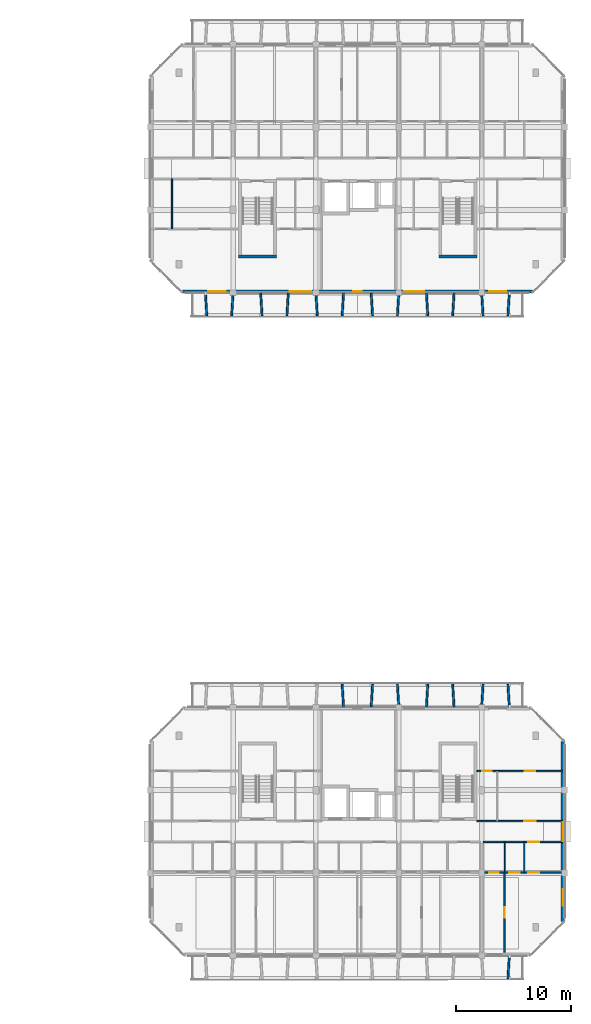
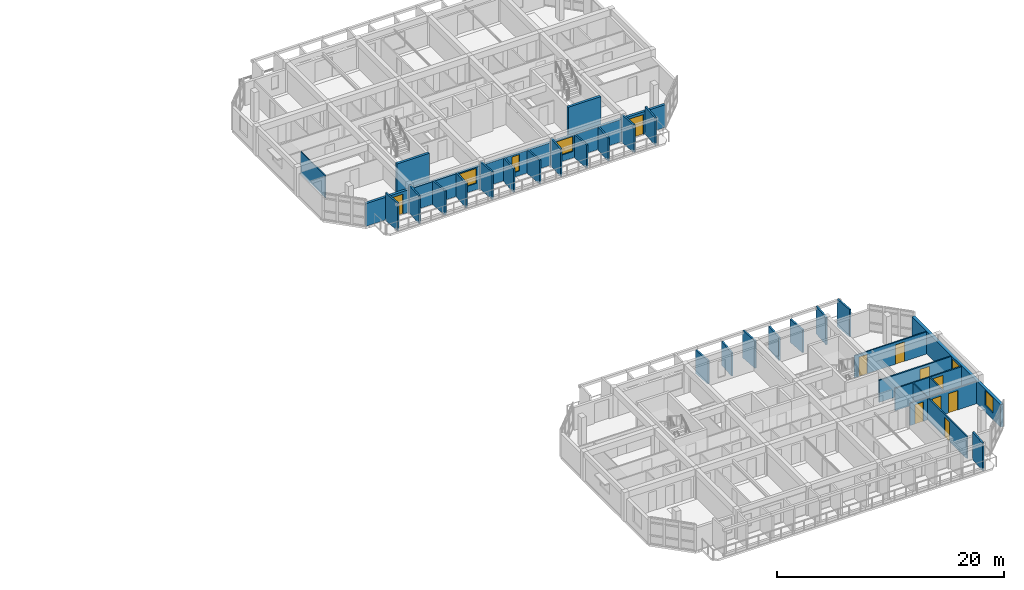
# One storey, part 25 of 44: 32 walls, 10 doors, 5 windows, 15 openings.
"""IFC4 building model written with IfcOpenShell, lengths in metres."""

import ifcopenshell
import ifcopenshell.guid

model = None  # the IFC model being written
_history = None  # IfcOwnerHistory: only IFC2X3 demands one
_inside = {}  # id of a spatial element -> (the spatial element, [elements in it])
_under = {}  # id of a project, library or spatial element -> (it, [spatial elements below it])
_declared = {}  # id of a project -> (the project, [libraries it declares])
_typed = {}  # id of a type object -> (the type object, [elements of that type])
_made_of = {}  # id of a material, layer set ... -> (it, [elements and type objects made of it])


def new_model(schema):
    """Start an empty IFC model of exactly this schema.

    Asked for "IFC4X3", IfcOpenShell would pick the latest addendum, in which some entities
    have other attributes; the version numbers below select the first issue.
    IFC2X3 requires an IfcOwnerHistory on every rooted entity: one is made here for all.
    """
    global model, _history
    if schema == "IFC4X3":
        model = ifcopenshell.file(schema_version=(4, 3, 0, 0))
    else:
        model = ifcopenshell.file(schema=schema)
    _inside.clear()
    _under.clear()
    _declared.clear()
    _typed.clear()
    _made_of.clear()
    _history = None
    if model.schema == "IFC2X3":
        org = make("IfcOrganization", Name="unknown")
        user = make(
            "IfcPersonAndOrganization",
            ThePerson=make("IfcPerson", FamilyName="unknown"),
            TheOrganization=org,
        )
        app = make(
            "IfcApplication",
            ApplicationDeveloper=org,
            Version="unknown",
            ApplicationFullName="unknown",
            ApplicationIdentifier="unknown",
        )
        _history = make(
            "IfcOwnerHistory",
            OwningUser=user,
            OwningApplication=app,
            ChangeAction="ADDED",
            CreationDate=0,
        )
    return model


def make(cls, **values):
    """One entity of the class cls with the attributes given. An attribute that is None is left unset."""
    return model.create_entity(
        cls, **{name: value for name, value in values.items() if value is not None}
    )


def rooted(cls, **values):
    """An entity with a GlobalId (a new one), such as an element, a storey or a relation."""
    return make(cls, GlobalId=ifcopenshell.guid.new(), OwnerHistory=_history, **values)


def si_unit(unit_type, name, prefix=None):
    """IfcSIUnit, for example si_unit("LENGTHUNIT", "METRE", prefix="MILLI")."""
    return make("IfcSIUnit", UnitType=unit_type, Prefix=prefix, Name=name)


def assignment(units):
    """IfcUnitAssignment: the units of a project."""
    return None if units is None else make("IfcUnitAssignment", Units=units)


def point(xyz):
    """IfcCartesianPoint."""
    return None if xyz is None else make("IfcCartesianPoint", Coordinates=xyz)


def direction(xyz):
    """IfcDirection."""
    return None if xyz is None else make("IfcDirection", DirectionRatios=xyz)


def frame(location, z_axis=None, x_axis=None):
    """IfcAxis2Placement3D, a coordinate frame: its origin and axes. An axis left out is left unset."""
    return make(
        "IfcAxis2Placement3D",
        Location=point(location),
        Axis=direction(z_axis),
        RefDirection=direction(x_axis),
    )


def frame_2d(location, x_axis=None):
    """IfcAxis2Placement2D, a coordinate frame in the plane: its origin and x axis."""
    return make(
        "IfcAxis2Placement2D", Location=point(location), RefDirection=direction(x_axis)
    )


def origin():
    """The frame at (0, 0, 0) with its axes left unset."""
    return frame((0.0, 0.0, 0.0))


def place(relative_to, where):
    """IfcLocalPlacement: puts the frame where relative to a parent placement (None: the world)."""
    return make(
        "IfcLocalPlacement", PlacementRelTo=relative_to, RelativePlacement=where
    )


def context(
    kind, dimensions, precision=None, world=None, true_north=None, identifier=None
):
    """IfcGeometricRepresentationContext, for example the 3D "Model" context."""
    return make(
        "IfcGeometricRepresentationContext",
        ContextIdentifier=identifier,
        ContextType=kind,
        CoordinateSpaceDimension=dimensions,
        Precision=precision,
        WorldCoordinateSystem=world,
        TrueNorth=true_north,
    )


def subcontext(parent, identifier, kind, view, scale=None):
    """IfcGeometricRepresentationSubContext, for example "Body" below "Model"."""
    return make(
        "IfcGeometricRepresentationSubContext",
        ContextIdentifier=identifier,
        ContextType=kind,
        ParentContext=parent,
        TargetScale=scale,
        TargetView=view,
    )


def project(units=None, contexts=None):
    """IfcProject with its units and contexts."""
    return rooted(
        "IfcProject",
        Name="project",
        RepresentationContexts=contexts,
        UnitsInContext=assignment(units),
    )


def spatial(cls, under=None, at=None, **own):
    """A site, building, storey or space (cls), placed at a placement, below another one or the project."""
    s = rooted(cls, ObjectPlacement=at, **own)
    if under is not None:
        _under.setdefault(under.id(), (under, []))[1].append(s)
    return s


def profile(cls, at=None, kind="AREA", **sizes):
    """A parametric profile (cls). Its sizes go by their IFC names, for example OverallWidth=200.0."""
    return make(cls, ProfileType=kind, Position=at, **sizes)


def rectangle(**sizes):
    """IfcRectangleProfileDef."""
    return profile("IfcRectangleProfileDef", **sizes)


def extrude(swept, where, along, depth):
    """IfcExtrudedAreaSolid: the profile swept, set in the frame where, extruded along a direction by depth."""
    return make(
        "IfcExtrudedAreaSolid",
        SweptArea=swept,
        Position=where,
        ExtrudedDirection=direction(along),
        Depth=depth,
    )


def shape(context_of_items, identifier, shape_type, items):
    """IfcShapeRepresentation: the items that make up one representation, for example the "Body"."""
    return make(
        "IfcShapeRepresentation",
        ContextOfItems=context_of_items,
        RepresentationIdentifier=identifier,
        RepresentationType=shape_type,
        Items=items,
    )


def material(Name=None, Category=None):
    """IfcMaterial."""
    return make("IfcMaterial", Name=Name, Category=Category)


def layer(
    of_material, thickness, ventilated=None, Name=None, Category=None, Priority=None
):
    """IfcMaterialLayer: one layer of a wall or slab, of a material (None: an air gap)."""
    return make(
        "IfcMaterialLayer",
        Material=of_material,
        LayerThickness=thickness,
        IsVentilated=ventilated,
        Name=Name,
        Category=Category,
        Priority=Priority,
    )


def layer_set(layers, Name=None):
    """IfcMaterialLayerSet."""
    return make("IfcMaterialLayerSet", MaterialLayers=layers, LayerSetName=Name)


def made_of(thing, what):
    """Note that an element or type object is made of a material, layer set ...; save() writes the relation."""
    if what is not None:
        _made_of.setdefault(what.id(), (what, []))[1].append(thing)
    return thing


def type_object(cls, material=None, **own):
    """A type object (cls), such as IfcWallType, which elements share."""
    return made_of(rooted(cls, **own), material)


def element(
    cls,
    number,
    at=None,
    inside=None,
    cuts=None,
    type_object=None,
    material=None,
    context=None,
    identifier="Body",
    shape_type=None,
    held_by="IfcProductDefinitionShape",
    body=None,
    shapes=None,
    **own,
):
    """One element of the class cls, such as IfcWall. Its Tag is "e" and its number.

    at: its placement. inside: the storey or other place that contains it. cuts: it is an
    opening in that element (IfcRelVoidsElement). A single representation is given by context,
    identifier, shape_type and body (its items); several are given by shapes. held_by: the class
    of the entity that holds the representations. save() writes the other relations.
    """
    e = rooted(cls, Tag="e%d" % number, ObjectPlacement=at, **own)
    if body is not None:
        shapes = [shape(context, identifier, shape_type, body)]
    if shapes is not None:
        e.Representation = make(held_by, Representations=shapes)
    if inside is not None:
        _inside.setdefault(inside.id(), (inside, []))[1].append(e)
    if cuts is not None:
        rooted(
            "IfcRelVoidsElement", RelatingBuildingElement=cuts, RelatedOpeningElement=e
        )
    if type_object is not None:
        _typed.setdefault(type_object.id(), (type_object, []))[1].append(e)
    return made_of(e, material)


def fill(opening, filler):
    """IfcRelFillsElement: the door or window that sits in an opening."""
    return rooted(
        "IfcRelFillsElement",
        RelatingOpeningElement=opening,
        RelatedBuildingElement=filler,
    )


def aggregate(whole, parts):
    """IfcRelAggregates: a whole, such as a stair, and the parts it consists of."""
    return rooted("IfcRelAggregates", RelatingObject=whole, RelatedObjects=parts)


def save(model, path):
    """Write the relations noted so far, then the file.

    IfcRelAggregates (storeys below a building ...), IfcRelContainedInSpatialStructure (elements
    in a storey), IfcRelDefinesByType, IfcRelAssociatesMaterial and IfcRelDeclares: one each for
    every whole, place, type object, material and project.
    """
    for whole, parts in _under.values():
        aggregate(whole, parts)
    for where, things in _inside.values():
        rooted(
            "IfcRelContainedInSpatialStructure",
            RelatedElements=things,
            RelatingStructure=where,
        )
    for kind, things in _typed.values():
        rooted("IfcRelDefinesByType", RelatedObjects=things, RelatingType=kind)
    for what, things in _made_of.values():
        rooted("IfcRelAssociatesMaterial", RelatedObjects=things, RelatingMaterial=what)
    for by, libraries in _declared.values():
        rooted("IfcRelDeclares", RelatingContext=by, RelatedDefinitions=libraries)
    model.write(path)


model = new_model("IFC4")

# Units and contexts
model_context = context("Model", 3, precision=1e-05, world=origin(), true_north=direction((0.0, 1.0)))
body_context = subcontext(model_context, "Body", "Model", "MODEL_VIEW")
ifc_project = project(units=[si_unit("LENGTHUNIT", "METRE"), si_unit("AREAUNIT", "SQUARE_METRE"), si_unit("VOLUMEUNIT", "CUBIC_METRE"), si_unit("PLANEANGLEUNIT", "RADIAN"), si_unit("MASSUNIT", "GRAM", prefix="KILO")], contexts=[model_context])

# Site, building, storey
site_placement = place(None, origin())
site = spatial("IfcSite", under=ifc_project, at=site_placement, CompositionType="ELEMENT")
building_placement = place(site_placement, origin())
building = spatial("IfcBuilding", under=site, at=building_placement, Name="Ochrevale Crest", CompositionType="ELEMENT")
storey_placement = place(building_placement, frame((0.0, 0.0, 21.300048828125)))
storey = spatial("IfcBuildingStorey", under=building, at=storey_placement, Name="L06", CompositionType="ELEMENT", Elevation=21.300048828125)

# Wall, opening, door
ifc_material_1 = material(Name="Gypsum plasterboard", Category="gypsum")
ifc_layer_1 = layer(ifc_material_1, 0.139892578125)
ifc_layer_set_1 = layer_set([ifc_layer_1], Name="Gypsum plasterboard")
wall_type_1 = type_object("IfcWallType", Name="WL-COR-140", PredefinedType="PARTITIONING", material=ifc_layer_set_1)
wall_1_placement = place(storey_placement, frame((158.5400390625, 24.300048828125, 0.0), z_axis=(0.0, 0.0, 1.0), x_axis=(1.0, 0.0, 0.0)))
wall_1 = element("IfcWall", 1, at=wall_1_placement, inside=storey, type_object=wall_type_1, Name="Apartment C-L06-U5 corridor wall", PredefinedType="PARTITIONING", context=body_context, shape_type="SweptSolid", body=[
    extrude(rectangle(XDim=6.919921875, YDim=0.139892578125, at=frame_2d((3.4599609375, 0.0))), origin(), (0.0, 0.0, 1.0), 2.3798828125),
])
opening_1_placement = place(wall_1_placement, frame((3.89501953125, 0.0, 0.0)))
opening_1 = element("IfcOpeningElement", 2, at=opening_1_placement, cuts=wall_1, Name="Opening FD01", PredefinedType="OPENING", context=body_context, shape_type="SweptSolid", body=[
    extrude(rectangle(XDim=0.97998046875, YDim=2.10009765625, at=frame_2d((0.489990234375, 1.050048828125))), frame((0.0, 0.080078125, 0.0), z_axis=(0.0, -1.0, 0.0), x_axis=(1.0, 0.0, 0.0)), (0.0, 0.0, 1.0), 0.159912109375),
])
ifc_material_2 = material(Name="Solid-core FSC hardwood", Category="wood")
door_type_1 = type_object("IfcDoorType", Name="DR-APT-950", OperationType="NOTDEFINED", PredefinedType="DOOR", material=ifc_material_2)
door_1_placement = place(opening_1_placement, origin())
door_1 = element("IfcDoor", 3, at=door_1_placement, inside=storey, type_object=door_type_1, Name="Apartment C-L06-U5 entrance door", OperationType="SINGLE_SWING_LEFT", OverallHeight=2.10009765625, OverallWidth=0.97998046875, PredefinedType="DOOR", context=body_context, shape_type="SweptSolid", body=[
    extrude(rectangle(XDim=0.97998046875, YDim=2.10009765625, at=frame_2d((0.489990234375, 1.050048828125))), frame((0.0, 0.02490234375, 0.0), z_axis=(0.0, -1.0, 0.0), x_axis=(1.0, 0.0, 0.0)), (0.0, 0.0, 1.0), 0.050048828125),
])
fill(opening_1, door_1)

wall_2_placement = place(storey_placement, frame((157.989990234375, 26.10009765625, 0.0), z_axis=(0.0, 0.0, 1.0), x_axis=(1.0, 0.0, 0.0)))
wall_2 = element("IfcWall", 4, at=wall_2_placement, inside=storey, type_object=wall_type_1, Name="Suite C-L06-CE corridor wall", PredefinedType="PARTITIONING", context=body_context, shape_type="SweptSolid", body=[
    extrude(rectangle(XDim=7.469970703125, YDim=0.139892578125, at=frame_2d((3.73486328125, 0.0))), origin(), (0.0, 0.0, 1.0), 2.3798828125),
])
opening_2_placement = place(wall_2_placement, frame((4.1201171875, 0.0, 0.0)))
opening_2 = element("IfcOpeningElement", 5, at=opening_2_placement, cuts=wall_2, Name="Opening FD01", PredefinedType="OPENING", context=body_context, shape_type="SweptSolid", body=[
    extrude(rectangle(XDim=0.97998046875, YDim=2.10009765625, at=frame_2d((0.489990234375, 1.050048828125))), frame((0.0, 0.080078125, 0.0), z_axis=(0.0, -1.0, 0.0), x_axis=(1.0, 0.0, 0.0)), (0.0, 0.0, 1.0), 0.159912109375),
])
door_2_placement = place(opening_2_placement, origin())
door_2 = element("IfcDoor", 6, at=door_2_placement, inside=storey, type_object=door_type_1, Name="Suite C-L06-CE entrance door", OperationType="SINGLE_SWING_LEFT", OverallHeight=2.10009765625, OverallWidth=0.97998046875, PredefinedType="DOOR", context=body_context, shape_type="SweptSolid", body=[
    extrude(rectangle(XDim=0.97998046875, YDim=2.10009765625, at=frame_2d((0.489990234375, 1.050048828125))), frame((0.0, 0.02490234375, 0.0), z_axis=(0.0, -1.0, 0.0), x_axis=(1.0, 0.0, 0.0)), (0.0, 0.0, 1.0), 0.050048828125),
])
fill(opening_2, door_2)

# Walls
ifc_material_3 = material(Name="Precast concrete C50/60", Category="concrete")
ifc_layer_2 = layer(ifc_material_3, 0.2548828125)
ifc_layer_set_2 = layer_set([ifc_layer_2], Name="Precast concrete C50/60")
wall_type_2 = type_object("IfcWallType", Name="WL-CORE-255", PredefinedType="SHEAR", material=ifc_layer_set_2)
for number, where, z_axis, x_axis, name in (
    (7, (137.2724609375, 75.14990234375, 0.0), (0.0, 0.0, 1.0), (1.0, 0.0, 0.0), "Block D L06 Stair 1 precast core shear wall S"),
    (8, (154.672607421875, 75.14990234375, 0.0), (0.0, 0.0, 1.0), (1.0, 0.0, 0.0), "Block D L06 Stair 2 precast core shear wall S"),
):
    element("IfcWall", number, at=place(storey_placement, frame(where, z_axis=z_axis, x_axis=x_axis)), inside=storey, type_object=wall_type_2, Name=name, PredefinedType="SHEAR", context=body_context, shape_type="SweptSolid", body=[
        extrude(rectangle(XDim=3.304931640625, YDim=0.2548828125, at=frame_2d((1.65234375, 0.0))), origin(), (0.0, 0.0, 1.0), 3.14990234375),
    ])

# Wall, openings, windows
ifc_material_4 = material(Name="Clay face brickwork", Category="masonry")
ifc_layer_3 = layer(ifc_material_4, 0.2900390625)
ifc_layer_set_3 = layer_set([ifc_layer_3], Name="Clay face brickwork")
wall_type_3 = type_object("IfcWallType", Name="WL-EXT-BRICK-290", PredefinedType="SOLIDWALL", material=ifc_layer_set_3)
wall_3_placement = place(storey_placement, frame((165.455078125, 17.39990234375, 0.0), z_axis=(0.0, 0.0, 1.0), x_axis=(0.0, 1.0, 0.0)))
wall_3 = element("IfcWall", 9, at=wall_3_placement, inside=storey, type_object=wall_type_3, Name="Block C L06 external facade wall E3", PredefinedType="SOLIDWALL", context=body_context, shape_type="SweptSolid", body=[
    extrude(rectangle(XDim=15.60009765625, YDim=0.2900390625, at=frame_2d((7.800048828125, 0.0))), origin(), (0.0, 0.0, 1.0), 2.429931640625),
])
opening_3_placement = place(wall_3_placement, frame((6.97509765625, 0.0, 1.050048828125)))
opening_3 = element("IfcOpeningElement", 10, at=opening_3_placement, cuts=wall_3, Name="Opening W19", PredefinedType="OPENING", context=body_context, shape_type="SweptSolid", body=[
    extrude(rectangle(XDim=1.64990234375, YDim=1.14990234375, at=frame_2d((0.824951171875, 0.574951171875))), frame((0.0, 0.155029296875, 0.0), z_axis=(0.0, -1.0, 0.0), x_axis=(1.0, 0.0, 0.0)), (0.0, 0.0, 1.0), 0.31005859375),
])
opening_4_placement = place(wall_3_placement, frame((1.35009765625, 0.0, 0.719970703125)))
opening_4 = element("IfcOpeningElement", 11, at=opening_4_placement, cuts=wall_3, Name="Opening W31", PredefinedType="OPENING", context=body_context, shape_type="SweptSolid", body=[
    extrude(rectangle(XDim=1.419921875, YDim=1.60009765625, at=frame_2d((0.7099609375, 0.800048828125))), frame((0.0, 0.155029296875, 0.0), z_axis=(0.0, -1.0, 0.0), x_axis=(1.0, 0.0, 0.0)), (0.0, 0.0, 1.0), 0.31005859375),
])
ifc_material_5 = material(Name="Anodised aluminium 6063-T5 and low-E double glazing", Category="aluminium")
window_type_1 = type_object("IfcWindowType", Name="WIN-W19", PartitioningType="SINGLE_PANEL", PredefinedType="WINDOW", material=ifc_material_5)
window_1_placement = place(opening_3_placement, origin())
window_1 = element("IfcWindow", 12, at=window_1_placement, inside=storey, type_object=window_type_1, Name="Block C L06 corridor end daylight window E", OverallHeight=1.14990234375, OverallWidth=1.64990234375, PartitioningType="SINGLE_PANEL", PredefinedType="WINDOW", context=body_context, shape_type="SweptSolid", body=[
    extrude(rectangle(XDim=1.64990234375, YDim=1.14990234375, at=frame_2d((0.824951171875, 0.574951171875))), frame((0.0, 0.030029296875, 0.0), z_axis=(0.0, -1.0, 0.0), x_axis=(1.0, 0.0, 0.0)), (0.0, 0.0, 1.0), 0.06005859375),
])
fill(opening_3, window_1)
window_type_2 = type_object("IfcWindowType", Name="WIN-W31", PartitioningType="SINGLE_PANEL", PredefinedType="WINDOW", material=ifc_material_5)
window_2_placement = place(opening_4_placement, origin())
window_2 = element("IfcWindow", 13, at=window_2_placement, inside=storey, type_object=window_type_2, Name="Block C L06 side suite window E", OverallHeight=1.60009765625, OverallWidth=1.419921875, PartitioningType="SINGLE_PANEL", PredefinedType="WINDOW", context=body_context, shape_type="SweptSolid", body=[
    extrude(rectangle(XDim=1.419921875, YDim=1.60009765625, at=frame_2d((0.7099609375, 0.800048828125))), frame((0.0, 0.030029296875, 0.0), z_axis=(0.0, -1.0, 0.0), x_axis=(1.0, 0.0, 0.0)), (0.0, 0.0, 1.0), 0.06005859375),
])
fill(opening_4, window_2)

# Wall, openings, doors, windows
ifc_material_6 = material(Name="Precast concrete C40/50", Category="concrete")
ifc_layer_4 = layer(ifc_material_6, 0.25)
ifc_layer_set_4 = layer_set([ifc_layer_4], Name="Precast concrete C40/50")
wall_type_4 = type_object("IfcWallType", Name="WL-EXT-GOLD-250", PredefinedType="SOLIDWALL", material=ifc_layer_set_4)
wall_4_placement = place(storey_placement, frame((132.39990234375, 72.125, 0.0), z_axis=(0.0, 0.0, 1.0), x_axis=(1.0, 0.0, 0.0)))
wall_4 = element("IfcWall", 14, at=wall_4_placement, inside=storey, type_object=wall_type_4, Name="Block D L06 external facade wall E1", PredefinedType="SOLIDWALL", context=body_context, shape_type="SweptSolid", body=[
    extrude(rectangle(XDim=30.400146484375, YDim=0.25, at=frame_2d((15.2001953125, 0.0))), origin(), (0.0, 0.0, 1.0), 2.429931640625),
])
opening_5_placement = place(wall_4_placement, frame((3.75, 0.0, 0.0), z_axis=(0.0, 0.0, 1.0), x_axis=(-1.0, 0.0, 0.0)))
opening_5 = element("IfcOpeningElement", 15, at=opening_5_placement, cuts=wall_4, Name="Opening BD01", PredefinedType="OPENING", context=body_context, shape_type="SweptSolid", body=[
    extrude(rectangle(XDim=1.5, YDim=2.14990234375, at=frame_2d((0.75, 1.074951171875))), frame((0.0, 0.135009765625, 0.0), z_axis=(0.0, -1.0, 0.0), x_axis=(1.0, 0.0, 0.0)), (0.0, 0.0, 1.0), 0.27001953125),
])
opening_6_placement = place(wall_4_placement, frame((28.14990234375, 0.0, 0.0), z_axis=(0.0, 0.0, 1.0), x_axis=(-1.0, 0.0, 0.0)))
opening_6 = element("IfcOpeningElement", 16, at=opening_6_placement, cuts=wall_4, Name="Opening BD01", PredefinedType="OPENING", context=body_context, shape_type="SweptSolid", body=[
    extrude(rectangle(XDim=1.5, YDim=2.14990234375, at=frame_2d((0.75, 1.074951171875))), frame((0.0, 0.135009765625, 0.0), z_axis=(0.0, -1.0, 0.0), x_axis=(1.0, 0.0, 0.0)), (0.0, 0.0, 1.0), 0.27001953125),
])
opening_7_placement = place(wall_4_placement, frame((14.824951171875, 0.0, 0.5)))
opening_7 = element("IfcOpeningElement", 17, at=opening_7_placement, cuts=wall_4, Name="Opening W16", PredefinedType="OPENING", context=body_context, shape_type="SweptSolid", body=[
    extrude(rectangle(XDim=0.75, YDim=1.75, at=frame_2d((0.375, 0.875))), frame((0.0, 0.135009765625, 0.0), z_axis=(0.0, -1.0, 0.0), x_axis=(1.0, 0.0, 0.0)), (0.0, 0.0, 1.0), 0.27001953125),
])
opening_8_placement = place(wall_4_placement, frame((19.284912109375, 0.0, 0.699951171875)))
opening_8 = element("IfcOpeningElement", 18, at=opening_8_placement, cuts=wall_4, Name="Opening W10", PredefinedType="OPENING", context=body_context, shape_type="SweptSolid", body=[
    extrude(rectangle(XDim=1.719970703125, YDim=1.60009765625, at=frame_2d((0.85986328125, 0.800048828125))), frame((0.0, 0.135009765625, 0.0), z_axis=(0.0, -1.0, 0.0), x_axis=(1.0, 0.0, 0.0)), (0.0, 0.0, 1.0), 0.27001953125),
])
opening_9_placement = place(wall_4_placement, frame((9.324951171875, 0.0, 0.699951171875)))
opening_9 = element("IfcOpeningElement", 19, at=opening_9_placement, cuts=wall_4, Name="Opening W11", PredefinedType="OPENING", context=body_context, shape_type="SweptSolid", body=[
    extrude(rectangle(XDim=1.860107421875, YDim=1.60009765625, at=frame_2d((0.93017578125, 0.800048828125))), frame((0.0, 0.135009765625, 0.0), z_axis=(0.0, -1.0, 0.0), x_axis=(1.0, 0.0, 0.0)), (0.0, 0.0, 1.0), 0.27001953125),
])
ifc_material_7 = material(Name="Anodised aluminium 6063-T5 and toughened glass", Category="aluminium")
door_type_2 = type_object("IfcDoorType", Name="DR-BAL-1500", OperationType="NOTDEFINED", PredefinedType="DOOR", material=ifc_material_7)
door_3_placement = place(opening_5_placement, origin())
door_3 = element("IfcDoor", 20, at=door_3_placement, inside=storey, type_object=door_type_2, Name="Block D L06 balcony door S1", OperationType="SINGLE_SWING_LEFT", OverallHeight=2.14990234375, OverallWidth=1.5, PredefinedType="DOOR", context=body_context, shape_type="SweptSolid", body=[
    extrude(rectangle(XDim=1.5, YDim=2.14990234375, at=frame_2d((0.75, 1.074951171875))), frame((0.0, 0.02490234375, 0.0), z_axis=(0.0, -1.0, 0.0), x_axis=(1.0, 0.0, 0.0)), (0.0, 0.0, 1.0), 0.050048828125),
])
fill(opening_5, door_3)
door_4_placement = place(opening_6_placement, origin())
door_4 = element("IfcDoor", 21, at=door_4_placement, inside=storey, type_object=door_type_2, Name="Block D L06 balcony door S5", OperationType="SINGLE_SWING_RIGHT", OverallHeight=2.14990234375, OverallWidth=1.5, PredefinedType="DOOR", context=body_context, shape_type="SweptSolid", body=[
    extrude(rectangle(XDim=1.5, YDim=2.14990234375, at=frame_2d((0.75, 1.074951171875))), frame((0.0, 0.02490234375, 0.0), z_axis=(0.0, -1.0, 0.0), x_axis=(1.0, 0.0, 0.0)), (0.0, 0.0, 1.0), 0.050048828125),
])
fill(opening_6, door_4)
window_type_3 = type_object("IfcWindowType", Name="WIN-W10", PartitioningType="SINGLE_PANEL", PredefinedType="WINDOW", material=ifc_material_5)
window_3_placement = place(opening_8_placement, origin())
window_3 = element("IfcWindow", 22, at=window_3_placement, inside=storey, type_object=window_type_3, Name="Block D L06 Suite D-L06-ME Garden Alcove Studio window", OverallHeight=1.60009765625, OverallWidth=1.719970703125, PartitioningType="SINGLE_PANEL", PredefinedType="WINDOW", context=body_context, shape_type="SweptSolid", body=[
    extrude(rectangle(XDim=1.719970703125, YDim=1.60009765625, at=frame_2d((0.85986328125, 0.800048828125))), frame((0.0, 0.030029296875, 0.0), z_axis=(0.0, -1.0, 0.0), x_axis=(1.0, 0.0, 0.0)), (0.0, 0.0, 1.0), 0.06005859375),
])
fill(opening_8, window_3)
window_type_4 = type_object("IfcWindowType", Name="WIN-W11", PartitioningType="SINGLE_PANEL", PredefinedType="WINDOW", material=ifc_material_5)
window_4_placement = place(opening_9_placement, origin())
window_4 = element("IfcWindow", 23, at=window_4_placement, inside=storey, type_object=window_type_4, Name="Block D L06 Suite D-L06-MW Courtyard Studio Living window", OverallHeight=1.60009765625, OverallWidth=1.860107421875, PartitioningType="SINGLE_PANEL", PredefinedType="WINDOW", context=body_context, shape_type="SweptSolid", body=[
    extrude(rectangle(XDim=1.860107421875, YDim=1.60009765625, at=frame_2d((0.93017578125, 0.800048828125))), frame((0.0, 0.030029296875, 0.0), z_axis=(0.0, -1.0, 0.0), x_axis=(1.0, 0.0, 0.0)), (0.0, 0.0, 1.0), 0.06005859375),
])
fill(opening_9, window_4)
window_type_5 = type_object("IfcWindowType", Name="WIN-W16", PartitioningType="SINGLE_PANEL", PredefinedType="WINDOW", material=ifc_material_5)
window_5_placement = place(opening_7_placement, origin())
window_5 = element("IfcWindow", 24, at=window_5_placement, inside=storey, type_object=window_type_5, Name="Block D L06 core lancet window", OverallHeight=1.75, OverallWidth=0.75, PartitioningType="SINGLE_PANEL", PredefinedType="WINDOW", context=body_context, shape_type="SweptSolid", body=[
    extrude(rectangle(XDim=0.75, YDim=1.75, at=frame_2d((0.375, 0.875))), frame((0.0, 0.030029296875, 0.0), z_axis=(0.0, -1.0, 0.0), x_axis=(1.0, 0.0, 0.0)), (0.0, 0.0, 1.0), 0.06005859375),
])
fill(opening_7, window_5)

# Walls
ifc_layer_5 = layer(ifc_material_6, 0.1650390625)
ifc_layer_set_5 = layer_set([ifc_layer_5], Name="Precast concrete C40/50")
wall_type_5 = type_object("IfcWallType", Name="WL-HC-CHEEK-165", PredefinedType="ELEMENTEDWALL", material=ifc_layer_set_5)
wall_5_placement = place(storey_placement, frame((160.800048828125, 14.3798828125, 0.0), z_axis=(0.0, 0.0, 1.0), x_axis=(-0.061170732449, -0.998127317276, 0.0)))
element("IfcWall", 25, at=wall_5_placement, inside=storey, type_object=wall_type_5, Name="Block C L06 S precast honeycomb cheek 12", PredefinedType="ELEMENTEDWALL", context=body_context, shape_type="SweptSolid", body=[
    extrude(rectangle(XDim=1.963623046875, YDim=0.1650390625, at=frame_2d((0.98193359375, 0.0))), origin(), (0.0, 0.0, 1.0), 2.949951171875),
])
for number, where, z_axis, x_axis, name in (
    (26, (146.39990234375, 36.02001953125, 0.0), (0.0, 0.0, 1.0), (-0.061046865508, 0.998134900808, 0.0), "Block C L06 N precast honeycomb cheek 6"),
    (27, (148.800048828125, 36.02001953125, 0.0), (0.0, 0.0, 1.0), (0.061046865508, 0.998134900808, 0.0), "Block C L06 N precast honeycomb cheek 7"),
):
    element("IfcWall", number, at=place(storey_placement, frame(where, z_axis=z_axis, x_axis=x_axis)), inside=storey, type_object=wall_type_5, Name=name, PredefinedType="ELEMENTEDWALL", context=body_context, shape_type="SweptSolid", body=[
        extrude(rectangle(XDim=1.963623046875, YDim=0.1650390625, at=frame_2d((0.98193359375, 0.0))), origin(), (0.0, 0.0, 1.0), 2.530029296875),
    ])
wall_6_placement = place(storey_placement, frame((151.199951171875, 36.02001953125, 0.0), z_axis=(0.0, 0.0, 1.0), x_axis=(-0.061046865508, 0.998134900808, 0.0)))
element("IfcWall", 28, at=wall_6_placement, inside=storey, type_object=wall_type_5, Name="Block C L06 N precast honeycomb cheek 8", PredefinedType="ELEMENTEDWALL", context=body_context, shape_type="SweptSolid", body=[
    extrude(rectangle(XDim=1.963623046875, YDim=0.1650390625, at=frame_2d((0.98193359375, 0.0))), origin(), (0.0, 0.0, 1.0), 2.949951171875),
])
for number, where, z_axis, x_axis, name in (
    (29, (153.60009765625, 36.02001953125, 0.0), (0.0, 0.0, 1.0), (0.061046865508, 0.998134900808, 0.0), "Block C L06 N precast honeycomb cheek 9"),
    (30, (156.0, 36.02001953125, 0.0), (0.0, 0.0, 1.0), (-0.061170732449, 0.998127317276, 0.0), "Block C L06 N precast honeycomb cheek 10"),
):
    element("IfcWall", number, at=place(storey_placement, frame(where, z_axis=z_axis, x_axis=x_axis)), inside=storey, type_object=wall_type_5, Name=name, PredefinedType="ELEMENTEDWALL", context=body_context, shape_type="SweptSolid", body=[
        extrude(rectangle(XDim=1.963623046875, YDim=0.1650390625, at=frame_2d((0.98193359375, 0.0))), origin(), (0.0, 0.0, 1.0), 2.47998046875),
    ])
for number, where, z_axis, x_axis, name in (
    (31, (158.39990234375, 36.02001953125, 0.0), (0.0, 0.0, 1.0), (0.061170732449, 0.998127317276, 0.0), "Block C L06 N precast honeycomb cheek 11"),
    (32, (160.800048828125, 36.02001953125, 0.0), (0.0, 0.0, 1.0), (-0.061170732449, 0.998127317276, 0.0), "Block C L06 N precast honeycomb cheek 12"),
    (33, (134.39990234375, 71.97998046875, 0.0), (0.0, 0.0, 1.0), (0.061170732449, -0.998127317276, 0.0), "Block D L06 S precast honeycomb cheek 1"),
    (34, (136.800048828125, 71.97998046875, 0.0), (0.0, 0.0, 1.0), (-0.061170732449, -0.998127317276, 0.0), "Block D L06 S precast honeycomb cheek 2"),
):
    element("IfcWall", number, at=place(storey_placement, frame(where, z_axis=z_axis, x_axis=x_axis)), inside=storey, type_object=wall_type_5, Name=name, PredefinedType="ELEMENTEDWALL", context=body_context, shape_type="SweptSolid", body=[
        extrude(rectangle(XDim=1.963623046875, YDim=0.1650390625, at=frame_2d((0.98193359375, 0.0))), origin(), (0.0, 0.0, 1.0), 2.949951171875),
    ])
for number, where, z_axis, x_axis, name in (
    (35, (139.199951171875, 71.97998046875, 0.0), (0.0, 0.0, 1.0), (0.061170732449, -0.998127317276, 0.0), "Block D L06 S precast honeycomb cheek 3"),
    (36, (141.60009765625, 71.97998046875, 0.0), (0.0, 0.0, 1.0), (-0.061170732449, -0.998127317276, 0.0), "Block D L06 S precast honeycomb cheek 4"),
):
    element("IfcWall", number, at=place(storey_placement, frame(where, z_axis=z_axis, x_axis=x_axis)), inside=storey, type_object=wall_type_5, Name=name, PredefinedType="ELEMENTEDWALL", context=body_context, shape_type="SweptSolid", body=[
        extrude(rectangle(XDim=1.963623046875, YDim=0.1650390625, at=frame_2d((0.98193359375, 0.0))), origin(), (0.0, 0.0, 1.0), 2.579833984375),
    ])
wall_7_placement = place(storey_placement, frame((144.0, 71.97998046875, 0.0), z_axis=(0.0, 0.0, 1.0), x_axis=(0.061170732449, -0.998127317276, 0.0)))
element("IfcWall", 37, at=wall_7_placement, inside=storey, type_object=wall_type_5, Name="Block D L06 S precast honeycomb cheek 5", PredefinedType="ELEMENTEDWALL", context=body_context, shape_type="SweptSolid", body=[
    extrude(rectangle(XDim=1.963623046875, YDim=0.1650390625, at=frame_2d((0.98193359375, 0.0))), origin(), (0.0, 0.0, 1.0), 2.949951171875),
])
for number, where, z_axis, x_axis, name in (
    (38, (146.39990234375, 71.97998046875, 0.0), (0.0, 0.0, 1.0), (-0.061046865508, -0.998134900808, 0.0), "Block D L06 S precast honeycomb cheek 6"),
    (39, (148.800048828125, 71.97998046875, 0.0), (0.0, 0.0, 1.0), (0.061046865508, -0.998134900808, 0.0), "Block D L06 S precast honeycomb cheek 7"),
):
    element("IfcWall", number, at=place(storey_placement, frame(where, z_axis=z_axis, x_axis=x_axis)), inside=storey, type_object=wall_type_5, Name=name, PredefinedType="ELEMENTEDWALL", context=body_context, shape_type="SweptSolid", body=[
        extrude(rectangle(XDim=1.963623046875, YDim=0.1650390625, at=frame_2d((0.98193359375, 0.0))), origin(), (0.0, 0.0, 1.0), 2.530029296875),
    ])
wall_8_placement = place(storey_placement, frame((151.199951171875, 71.97998046875, 0.0), z_axis=(0.0, 0.0, 1.0), x_axis=(-0.061046865508, -0.998134900808, 0.0)))
element("IfcWall", 40, at=wall_8_placement, inside=storey, type_object=wall_type_5, Name="Block D L06 S precast honeycomb cheek 8", PredefinedType="ELEMENTEDWALL", context=body_context, shape_type="SweptSolid", body=[
    extrude(rectangle(XDim=1.963623046875, YDim=0.1650390625, at=frame_2d((0.98193359375, 0.0))), origin(), (0.0, 0.0, 1.0), 2.949951171875),
])
for number, where, z_axis, x_axis, name in (
    (41, (153.60009765625, 71.97998046875, 0.0), (0.0, 0.0, 1.0), (0.061046865508, -0.998134900808, 0.0), "Block D L06 S precast honeycomb cheek 9"),
    (42, (156.0, 71.97998046875, 0.0), (0.0, 0.0, 1.0), (-0.061170732449, -0.998127317276, 0.0), "Block D L06 S precast honeycomb cheek 10"),
):
    element("IfcWall", number, at=place(storey_placement, frame(where, z_axis=z_axis, x_axis=x_axis)), inside=storey, type_object=wall_type_5, Name=name, PredefinedType="ELEMENTEDWALL", context=body_context, shape_type="SweptSolid", body=[
        extrude(rectangle(XDim=1.963623046875, YDim=0.1650390625, at=frame_2d((0.98193359375, 0.0))), origin(), (0.0, 0.0, 1.0), 2.47998046875),
    ])
for number, where, z_axis, x_axis, name in (
    (43, (158.39990234375, 71.97998046875, 0.0), (0.0, 0.0, 1.0), (0.061170732449, -0.998127317276, 0.0), "Block D L06 S precast honeycomb cheek 11"),
    (44, (160.800048828125, 71.97998046875, 0.0), (0.0, 0.0, 1.0), (-0.061170732449, -0.998127317276, 0.0), "Block D L06 S precast honeycomb cheek 12"),
):
    element("IfcWall", number, at=place(storey_placement, frame(where, z_axis=z_axis, x_axis=x_axis)), inside=storey, type_object=wall_type_5, Name=name, PredefinedType="ELEMENTEDWALL", context=body_context, shape_type="SweptSolid", body=[
        extrude(rectangle(XDim=1.963623046875, YDim=0.1650390625, at=frame_2d((0.98193359375, 0.0))), origin(), (0.0, 0.0, 1.0), 2.949951171875),
    ])
ifc_layer_6 = layer(ifc_material_1, 0.1201171875)
ifc_layer_set_6 = layer_set([ifc_layer_6], Name="Gypsum plasterboard")
wall_type_6 = type_object("IfcWallType", Name="WL-PART-120", PredefinedType="PARTITIONING", material=ifc_layer_set_6)
wall_9_placement = place(storey_placement, frame((162.10009765625, 21.64990234375, 0.0), z_axis=(0.0, 0.0, 1.0), x_axis=(0.0, 1.0, 0.0)))
element("IfcWall", 45, at=wall_9_placement, inside=storey, type_object=wall_type_6, Name="Apartment C-L06-U5 kitchen-foyer wall", PredefinedType="PARTITIONING", context=body_context, shape_type="SweptSolid", body=[
    extrude(rectangle(XDim=2.650146484375, YDim=0.1201171875, at=frame_2d((1.3251953125, 0.0))), origin(), (0.0, 0.0, 1.0), 2.3798828125),
])

# Wall, openings, doors
wall_10_placement = place(storey_placement, frame((158.5400390625, 21.64990234375, 0.0), z_axis=(0.0, 0.0, 1.0), x_axis=(1.0, 0.0, 0.0)))
wall_10 = element("IfcWall", 46, at=wall_10_placement, inside=storey, type_object=wall_type_6, Name="Apartment C-L06-U5 central partition", PredefinedType="PARTITIONING", context=body_context, shape_type="SweptSolid", body=[
    extrude(rectangle(XDim=6.919921875, YDim=0.1201171875, at=frame_2d((3.4599609375, 0.0))), origin(), (0.0, 0.0, 1.0), 2.3798828125),
])
opening_10_placement = place(wall_10_placement, frame((1.35009765625, 0.0, 0.0), z_axis=(0.0, 0.0, 1.0), x_axis=(-1.0, 0.0, 0.0)))
opening_10 = element("IfcOpeningElement", 47, at=opening_10_placement, cuts=wall_10, Name="Opening ID01", PredefinedType="OPENING", context=body_context, shape_type="SweptSolid", body=[
    extrude(rectangle(XDim=0.85009765625, YDim=2.080078125, at=frame_2d((0.425048828125, 1.0400390625))), frame((0.0, 0.070068359375, 0.0), z_axis=(0.0, -1.0, 0.0), x_axis=(1.0, 0.0, 0.0)), (0.0, 0.0, 1.0), 0.14013671875),
])
opening_11_placement = place(wall_10_placement, frame((2.2548828125, 0.0, 0.0)))
opening_11 = element("IfcOpeningElement", 48, at=opening_11_placement, cuts=wall_10, Name="Opening ID02", PredefinedType="OPENING", context=body_context, shape_type="SweptSolid", body=[
    extrude(rectangle(XDim=0.89990234375, YDim=2.080078125, at=frame_2d((0.449951171875, 1.0400390625))), frame((0.0, 0.070068359375, 0.0), z_axis=(0.0, -1.0, 0.0), x_axis=(1.0, 0.0, 0.0)), (0.0, 0.0, 1.0), 0.14013671875),
])
opening_12_placement = place(wall_10_placement, frame((4.85986328125, 0.0, 0.0), z_axis=(0.0, 0.0, 1.0), x_axis=(-1.0, 0.0, 0.0)))
opening_12 = element("IfcOpeningElement", 49, at=opening_12_placement, cuts=wall_10, Name="Opening ID06", PredefinedType="OPENING", context=body_context, shape_type="SweptSolid", body=[
    extrude(rectangle(XDim=0.949951171875, YDim=2.080078125, at=frame_2d((0.47509765625, 1.0400390625))), frame((0.0, 0.070068359375, 0.0), z_axis=(0.0, -1.0, 0.0), x_axis=(1.0, 0.0, 0.0)), (0.0, 0.0, 1.0), 0.14013671875),
])
door_type_3 = type_object("IfcDoorType", Name="DR-INT-900", OperationType="NOTDEFINED", PredefinedType="DOOR", material=ifc_material_2)
door_5_placement = place(opening_11_placement, origin())
door_5 = element("IfcDoor", 50, at=door_5_placement, inside=storey, type_object=door_type_3, Name="Apartment C-L06-U5 Kitchen door", OperationType="SINGLE_SWING_LEFT", OverallHeight=2.080078125, OverallWidth=0.89990234375, PredefinedType="DOOR", context=body_context, shape_type="SweptSolid", body=[
    extrude(rectangle(XDim=0.89990234375, YDim=2.080078125, at=frame_2d((0.449951171875, 1.0400390625))), frame((0.0, 0.02490234375, 0.0), z_axis=(0.0, -1.0, 0.0), x_axis=(1.0, 0.0, 0.0)), (0.0, 0.0, 1.0), 0.050048828125),
])
fill(opening_11, door_5)
door_type_4 = type_object("IfcDoorType", Name="DR-INT-950", OperationType="NOTDEFINED", PredefinedType="DOOR", material=ifc_material_2)
door_6_placement = place(opening_12_placement, origin())
door_6 = element("IfcDoor", 51, at=door_6_placement, inside=storey, type_object=door_type_4, Name="Apartment C-L06-U5 Living Foyer door", OperationType="SINGLE_SWING_RIGHT", OverallHeight=2.080078125, OverallWidth=0.949951171875, PredefinedType="DOOR", context=body_context, shape_type="SweptSolid", body=[
    extrude(rectangle(XDim=0.949951171875, YDim=2.080078125, at=frame_2d((0.47509765625, 1.0400390625))), frame((0.0, 0.02490234375, 0.0), z_axis=(0.0, -1.0, 0.0), x_axis=(1.0, 0.0, 0.0)), (0.0, 0.0, 1.0), 0.050048828125),
])
fill(opening_12, door_6)
door_type_5 = type_object("IfcDoorType", Name="DR-WC-850", OperationType="NOTDEFINED", PredefinedType="DOOR", material=ifc_material_2)
door_7_placement = place(opening_10_placement, origin())
door_7 = element("IfcDoor", 52, at=door_7_placement, inside=storey, type_object=door_type_5, Name="Apartment C-L06-U5 Bathroom door", OperationType="SINGLE_SWING_RIGHT", OverallHeight=2.080078125, OverallWidth=0.85009765625, PredefinedType="DOOR", context=body_context, shape_type="SweptSolid", body=[
    extrude(rectangle(XDim=0.85009765625, YDim=2.080078125, at=frame_2d((0.425048828125, 1.0400390625))), frame((0.0, 0.02490234375, 0.0), z_axis=(0.0, -1.0, 0.0), x_axis=(1.0, 0.0, 0.0)), (0.0, 0.0, 1.0), 0.050048828125),
])
fill(opening_10, door_7)

# Wall, opening, door
wall_11_placement = place(storey_placement, frame((160.389892578125, 14.699951171875, 0.0), z_axis=(0.0, 0.0, 1.0), x_axis=(0.0, 1.0, 0.0)))
wall_11 = element("IfcWall", 53, at=wall_11_placement, inside=storey, type_object=wall_type_6, Name="Apartment C-L06-U5 bedroom partition", PredefinedType="PARTITIONING", context=body_context, shape_type="SweptSolid", body=[
    extrude(rectangle(XDim=6.949951171875, YDim=0.1201171875, at=frame_2d((3.47509765625, 0.0))), origin(), (0.0, 0.0, 1.0), 2.3798828125),
])
opening_13_placement = place(wall_11_placement, frame((3.02490234375, 0.0, 0.0)))
opening_13 = element("IfcOpeningElement", 54, at=opening_13_placement, cuts=wall_11, Name="Opening ID02", PredefinedType="OPENING", context=body_context, shape_type="SweptSolid", body=[
    extrude(rectangle(XDim=0.89990234375, YDim=2.080078125, at=frame_2d((0.449951171875, 1.0400390625))), frame((0.0, 0.070068359375, 0.0), z_axis=(0.0, -1.0, 0.0), x_axis=(1.0, 0.0, 0.0)), (0.0, 0.0, 1.0), 0.14013671875),
])
door_8_placement = place(opening_13_placement, origin())
door_8 = element("IfcDoor", 55, at=door_8_placement, inside=storey, type_object=door_type_3, Name="Apartment C-L06-U5 Double Bedroom door", OperationType="SINGLE_SWING_LEFT", OverallHeight=2.080078125, OverallWidth=0.89990234375, PredefinedType="DOOR", context=body_context, shape_type="SweptSolid", body=[
    extrude(rectangle(XDim=0.89990234375, YDim=2.080078125, at=frame_2d((0.449951171875, 1.0400390625))), frame((0.0, 0.02490234375, 0.0), z_axis=(0.0, -1.0, 0.0), x_axis=(1.0, 0.0, 0.0)), (0.0, 0.0, 1.0), 0.050048828125),
])
fill(opening_13, door_8)

# Wall, openings, doors
wall_12_placement = place(storey_placement, frame((157.989990234375, 30.449951171875, 0.0), z_axis=(0.0, 0.0, 1.0), x_axis=(1.0, 0.0, 0.0)))
wall_12 = element("IfcWall", 56, at=wall_12_placement, inside=storey, type_object=wall_type_6, Name="Suite C-L06-CE internal wall", PredefinedType="PARTITIONING", context=body_context, shape_type="SweptSolid", body=[
    extrude(rectangle(XDim=7.469970703125, YDim=0.1201171875, at=frame_2d((3.73486328125, 0.0))), origin(), (0.0, 0.0, 1.0), 2.3798828125),
])
opening_14_placement = place(wall_12_placement, frame((1.300048828125, 0.0, 0.0), z_axis=(0.0, 0.0, 1.0), x_axis=(-1.0, 0.0, 0.0)))
opening_14 = element("IfcOpeningElement", 57, at=opening_14_placement, cuts=wall_12, Name="Opening ID01", PredefinedType="OPENING", context=body_context, shape_type="SweptSolid", body=[
    extrude(rectangle(XDim=0.85009765625, YDim=2.080078125, at=frame_2d((0.425048828125, 1.0400390625))), frame((0.0, 0.070068359375, 0.0), z_axis=(0.0, -1.0, 0.0), x_axis=(1.0, 0.0, 0.0)), (0.0, 0.0, 1.0), 0.14013671875),
])
opening_15_placement = place(wall_12_placement, frame((4.14990234375, 0.0, 0.0)))
opening_15 = element("IfcOpeningElement", 58, at=opening_15_placement, cuts=wall_12, Name="Opening ID04", PredefinedType="OPENING", context=body_context, shape_type="SweptSolid", body=[
    extrude(rectangle(XDim=0.919921875, YDim=2.080078125, at=frame_2d((0.4599609375, 1.0400390625))), frame((0.0, 0.070068359375, 0.0), z_axis=(0.0, -1.0, 0.0), x_axis=(1.0, 0.0, 0.0)), (0.0, 0.0, 1.0), 0.14013671875),
])
door_type_6 = type_object("IfcDoorType", Name="DR-INT-920", OperationType="NOTDEFINED", PredefinedType="DOOR", material=ifc_material_2)
door_9_placement = place(opening_15_placement, origin())
door_9 = element("IfcDoor", 59, at=door_9_placement, inside=storey, type_object=door_type_6, Name="Suite C-L06-CE Master Bedroom door", OperationType="SINGLE_SWING_LEFT", OverallHeight=2.080078125, OverallWidth=0.919921875, PredefinedType="DOOR", context=body_context, shape_type="SweptSolid", body=[
    extrude(rectangle(XDim=0.919921875, YDim=2.080078125, at=frame_2d((0.4599609375, 1.0400390625))), frame((0.0, 0.02490234375, 0.0), z_axis=(0.0, -1.0, 0.0), x_axis=(1.0, 0.0, 0.0)), (0.0, 0.0, 1.0), 0.050048828125),
])
fill(opening_15, door_9)
door_10_placement = place(opening_14_placement, origin())
door_10 = element("IfcDoor", 60, at=door_10_placement, inside=storey, type_object=door_type_5, Name="Suite C-L06-CE Bathroom door", OperationType="SINGLE_SWING_RIGHT", OverallHeight=2.080078125, OverallWidth=0.85009765625, PredefinedType="DOOR", context=body_context, shape_type="SweptSolid", body=[
    extrude(rectangle(XDim=0.85009765625, YDim=2.080078125, at=frame_2d((0.425048828125, 1.0400390625))), frame((0.0, 0.02490234375, 0.0), z_axis=(0.0, -1.0, 0.0), x_axis=(1.0, 0.0, 0.0)), (0.0, 0.0, 1.0), 0.050048828125),
])
fill(opening_14, door_10)

# Walls
ifc_layer_7 = layer(ifc_material_1, 0.10009765625)
ifc_layer_set_7 = layer_set([ifc_layer_7], Name="Gypsum plasterboard")
wall_type_7 = type_object("IfcWallType", Name="WL-WET-100", PredefinedType="PARTITIONING", material=ifc_layer_set_7)
wall_13_placement = place(storey_placement, frame((160.389892578125, 21.64990234375, 0.0), z_axis=(0.0, 0.0, 1.0), x_axis=(0.0, 1.0, 0.0)))
element("IfcWall", 61, at=wall_13_placement, inside=storey, type_object=wall_type_7, Name="Apartment C-L06-U5 bath-kitchen wall", PredefinedType="PARTITIONING", context=body_context, shape_type="SweptSolid", body=[
    extrude(rectangle(XDim=2.650146484375, YDim=0.10009765625, at=frame_2d((1.3251953125, 0.0))), origin(), (0.0, 0.0, 1.0), 2.3798828125),
])
wall_14_placement = place(storey_placement, frame((131.489990234375, 77.550048828125, 0.0), z_axis=(0.0, 0.0, 1.0), x_axis=(0.0, 1.0, 0.0)))
element("IfcWall", 62, at=wall_14_placement, inside=storey, type_object=wall_type_7, Name="Suite D-L06-CW bathroom divider", PredefinedType="PARTITIONING", context=body_context, shape_type="SweptSolid", body=[
    extrude(rectangle(XDim=4.349853515625, YDim=0.10009765625, at=frame_2d((2.1748046875, 0.0))), origin(), (0.0, 0.0, 1.0), 2.3798828125),
])

save(model, "model.ifc")
